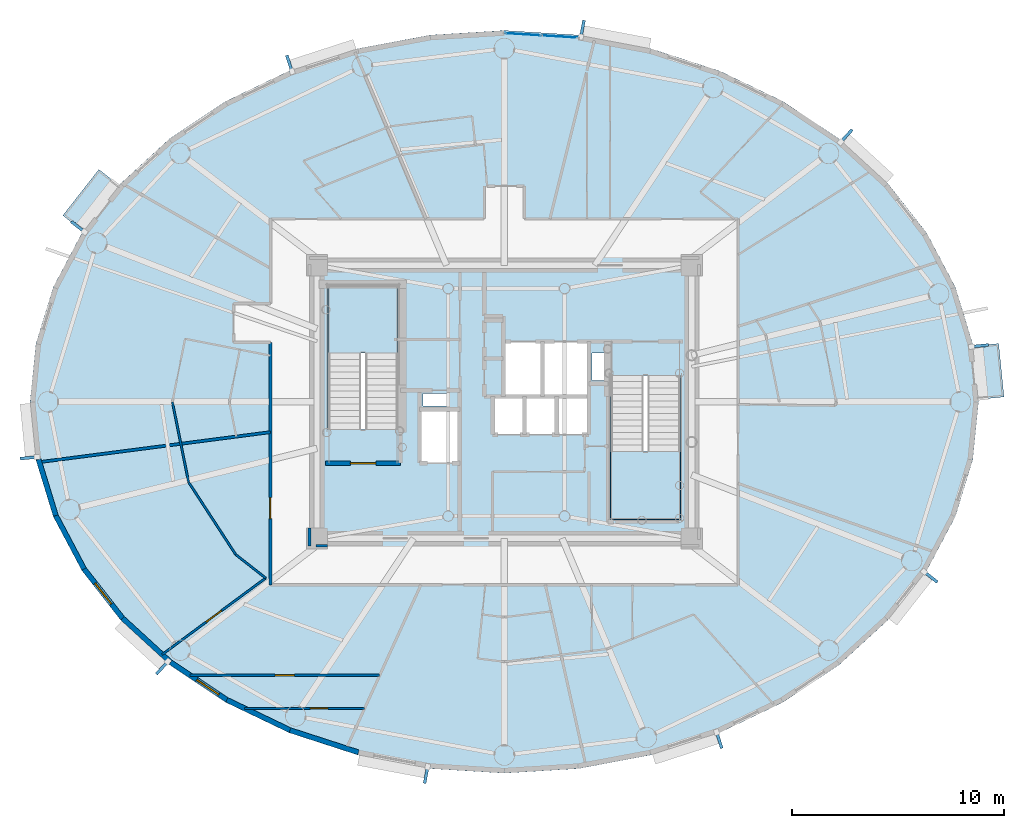
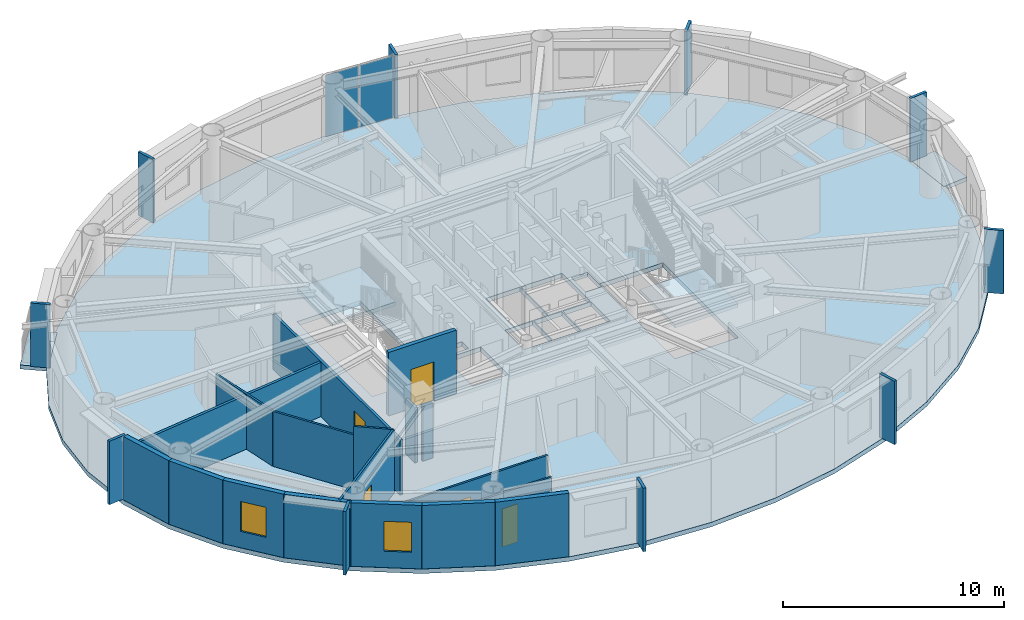
# One storey, part 5 of 17: 18 walls, 12 plates, 5 doors, 5 slabs, 2 windows, 7 openings, 3 elements without a shape of their own.
"""IFC4 building model written with IfcOpenShell, lengths in metres."""

from ifc_helpers import new_model, si_unit, direction, frame, frame_2d, origin, origin_2d, place, context, subcontext, project, spatial, polyline, rectangle, outline, extrude, source, transform, mapped, material, layer, layer_set, type_object, element, fill, aggregate, save


model = new_model("IFC4")

# Units and contexts
model_context = context("Model", 3, precision=1e-05, world=origin(), true_north=direction((0.0, 1.0)))
body_context = subcontext(model_context, "Body", "Model", "MODEL_VIEW")
ifc_project = project(units=[si_unit("LENGTHUNIT", "METRE"), si_unit("AREAUNIT", "SQUARE_METRE"), si_unit("VOLUMEUNIT", "CUBIC_METRE"), si_unit("PLANEANGLEUNIT", "RADIAN"), si_unit("MASSUNIT", "GRAM", prefix="KILO")], contexts=[model_context])

# Site, building, storey
site_placement = place(None, origin())
site = spatial("IfcSite", under=ifc_project, at=site_placement, CompositionType="ELEMENT")
building_placement = place(site_placement, origin())
building = spatial("IfcBuilding", under=site, at=building_placement, Name="Linh Dai School and Residence Tower", CompositionType="ELEMENT")
storey_placement = place(building_placement, frame((0.0, 0.0, 299.25)))
storey = spatial("IfcBuildingStorey", under=building, at=storey_placement, Name="L74", CompositionType="ELEMENT", Elevation=299.25)

# Slabs
ifc_material_1 = material(Name="Concrete B45 (C35/45)", Category="concrete")
ifc_layer_1 = layer(ifc_material_1, 0.219970703125)
ifc_layer_set_1 = layer_set([ifc_layer_1], Name="Concrete B45 (C35/45)")
slab_type_1 = type_object("IfcSlabType", Name="SLB-BALC-220", PredefinedType="FLOOR", material=ifc_layer_set_1)
slab_1_placement = place(storey_placement, frame((0.0, 0.0, -0.219970703125)))
element("IfcSlab", 1, at=slab_1_placement, inside=storey, type_object=slab_type_1, Name="L74 Sliding Balcony Slab 01", PredefinedType="FLOOR", context=body_context, shape_type="SweptSolid", body=[
    extrude(outline(polyline([(58.056396484375, 29.6240234375), (58.309814453125, 27.10400390625), (59.603271484375, 27.234130859375), (59.349853515625, 29.754150390625), (58.056396484375, 29.6240234375)])), origin(), (0.0, 0.0, 1.0), 0.219970703125),
])
slab_2_placement = place(storey_placement, frame((0.0, 0.0, -0.219970703125)))
element("IfcSlab", 2, at=slab_2_placement, inside=storey, type_object=slab_type_1, Name="L74 Sliding Balcony Slab 17", PredefinedType="FLOOR", context=body_context, shape_type="SweptSolid", body=[
    extrude(outline(polyline([(16.17236328125, 35.001220703125), (17.87255859375, 37.173828125), (16.848876953125, 37.974853515625), (15.148681640625, 35.802490234375), (16.17236328125, 35.001220703125)])), origin(), (0.0, 0.0, 1.0), 0.219970703125),
])
ifc_layer_2 = layer(ifc_material_1, 0.25)
ifc_layer_set_2 = layer_set([ifc_layer_2], Name="Concrete B45 (C35/45)")
slab_type_2 = type_object("IfcSlabType", Name="SLB-FLR250", PredefinedType="FLOOR", material=ifc_layer_set_2)
slab_3_placement = place(storey_placement, frame((0.0, 0.0, -0.25)))
element("IfcSlab", 3, at=slab_3_placement, inside=storey, type_object=slab_type_2, Name="L74 Composite Structural Floor Slab", PredefinedType="FLOOR", context=body_context, shape_type="SweptSolid", body=[
    extrude(outline(polyline([(58.39990234375, 27.0), (58.124267578125, 29.743896484375), (57.3037109375, 32.420166015625), (55.95849609375, 34.962890625), (54.1220703125, 37.309814453125), (51.839111328125, 39.402587890625), (49.16650390625, 41.190185546875), (46.16943359375, 42.628173828125), (42.921875, 43.681640625), (39.504150390625, 44.323974609375), (36.0, 44.5400390625), (32.495849609375, 44.323974609375), (29.078125, 43.681640625), (25.83056640625, 42.628173828125), (22.83349609375, 41.190185546875), (20.160888671875, 39.402587890625), (17.8779296875, 37.309814453125), (16.04150390625, 34.962890625), (14.6962890625, 32.420166015625), (13.875732421875, 29.743896484375), (13.60009765625, 27.0), (13.875732421875, 24.256103515625), (14.6962890625, 21.579833984375), (16.04150390625, 19.037109375), (17.8779296875, 16.690185546875), (20.160888671875, 14.597412109375), (22.83349609375, 12.809814453125), (25.83056640625, 11.371826171875), (29.078125, 10.318359375), (32.495849609375, 9.676025390625), (36.0, 9.4599609375), (39.504150390625, 9.676025390625), (42.921875, 10.318359375), (46.16943359375, 11.371826171875), (49.16650390625, 12.809814453125), (51.839111328125, 14.597412109375), (54.1220703125, 16.690185546875), (55.95849609375, 19.037109375), (57.3037109375, 21.579833984375), (58.124267578125, 24.256103515625), (58.39990234375, 27.0)]), holes=[polyline([(30.97998046875, 25.699951171875), (30.97998046875, 32.5), (27.679931640625, 32.5), (27.679931640625, 25.699951171875), (30.97998046875, 25.699951171875)]), polyline([(41.02001953125, 28.25), (41.02001953125, 21.449951171875), (44.320068359375, 21.449951171875), (44.320068359375, 28.25), (41.02001953125, 28.25)]), polyline([(35.97998046875, 27.280029296875), (37.77001953125, 27.280029296875), (37.77001953125, 29.820068359375), (35.97998046875, 29.820068359375), (35.97998046875, 27.280029296875)]), polyline([(32.030029296875, 24.1298828125), (33.8701171875, 24.1298828125), (33.8701171875, 26.6201171875), (32.030029296875, 26.6201171875), (32.030029296875, 24.1298828125)]), polyline([(37.830078125, 27.280029296875), (39.969970703125, 27.280029296875), (39.969970703125, 29.820068359375), (37.830078125, 29.820068359375), (37.830078125, 27.280029296875)]), polyline([(35.47998046875, 25.47998046875), (36.929931640625, 25.47998046875), (36.929931640625, 27.219970703125), (35.47998046875, 27.219970703125), (35.47998046875, 25.47998046875)]), polyline([(36.989990234375, 25.47998046875), (38.449951171875, 25.47998046875), (38.449951171875, 27.219970703125), (36.989990234375, 27.219970703125), (36.989990234375, 25.47998046875)]), polyline([(38.510009765625, 25.47998046875), (39.969970703125, 25.47998046875), (39.969970703125, 27.219970703125), (38.510009765625, 27.219970703125), (38.510009765625, 25.47998046875)]), polyline([(40.14990234375, 28.0), (40.14990234375, 29.300048828125), (41.0, 29.300048828125), (41.0, 28.280029296875), (40.989990234375, 28.280029296875), (40.989990234375, 28.0), (40.14990234375, 28.0)]), polyline([(32.14990234375, 26.800048828125), (33.35009765625, 26.800048828125), (33.35009765625, 27.39990234375), (32.14990234375, 27.39990234375), (32.14990234375, 26.800048828125)])]), origin(), (0.0, 0.0, 1.0), 0.25),
])

# Stair, slab
stair_type = type_object("IfcStairType", Name="ST-DOG-1550-R1442", PredefinedType="HALF_TURN_STAIR", material=ifc_material_1)
stair_1_placement = place(storey_placement, origin())
stair_1 = element("IfcStair", 4, at=stair_1_placement, inside=storey, type_object=stair_type, Name="L74 Core Smokeproof Exit Stair ST1", PredefinedType="HALF_TURN_STAIR")
ifc_layer_3 = layer(ifc_material_1, 0.199951171875)
ifc_layer_set_3 = layer_set([ifc_layer_3], Name="Concrete B45 (C35/45)")
slab_type_3 = type_object("IfcSlabType", Name="SLB-ST-LANDING-200", PredefinedType="LANDING", material=ifc_layer_set_3)
slab_4_placement = place(storey_placement, frame((0.0, 0.0, 1.675048828125)))
slab_4 = element("IfcSlab", 5, at=slab_4_placement, type_object=slab_type_3, Name="ST1 landing 1", PredefinedType="LANDING", context=body_context, shape_type="SweptSolid", body=[
    extrude(outline(polyline([(30.97998046875, 29.300048828125), (30.97998046875, 32.5), (27.679931640625, 32.5), (27.679931640625, 29.300048828125), (30.97998046875, 29.300048828125)])), origin(), (0.0, 0.0, 1.0), 0.199951171875),
])
aggregate(stair_1, [slab_4])

stair_2_placement = place(storey_placement, origin())
stair_2 = element("IfcStair", 6, at=stair_2_placement, inside=storey, type_object=stair_type, Name="L74 Core Smokeproof Exit Stair ST2", PredefinedType="HALF_TURN_STAIR")
slab_5_placement = place(storey_placement, frame((0.0, 0.0, 1.675048828125)))
slab_5 = element("IfcSlab", 7, at=slab_5_placement, type_object=slab_type_3, Name="ST2 landing 1", PredefinedType="LANDING", context=body_context, shape_type="SweptSolid", body=[
    extrude(outline(polyline([(41.02001953125, 24.64990234375), (41.02001953125, 21.449951171875), (44.320068359375, 21.449951171875), (44.320068359375, 24.64990234375), (41.02001953125, 24.64990234375)])), origin(), (0.0, 0.0, 1.0), 0.199951171875),
])
aggregate(stair_2, [slab_5])

# Plates
ifc_material_2 = material(Name="Precast Concrete B45 (C35/45)", Category="concrete")
ifc_layer_4 = layer(ifc_material_2, 0.139892578125)
ifc_layer_set_4 = layer_set([ifc_layer_4], Name="Precast Concrete B45 (C35/45)")
plate_type_1 = type_object("IfcPlateType", Name="FIN-TC-900x140", PredefinedType="USERDEFINED", material=ifc_layer_set_4)
shared_shape_1 = source(origin(), body_context, "Body", "SweptSolid", [
    extrude(rectangle(XDim=0.89990234375, YDim=0.139892578125, at=origin_2d()), origin(), (0.0, 0.0, 1.0), 3.5),
])
for number, where, z_axis, x_axis, name in (
    (8, (58.421630859375, 29.640625, 0.0), (0.0, 0.0, 1.0), (0.994986629598, 0.100008034283, 0.0), "L74 Precast Terracotta Radial Fin 01"),
    (9, (52.127685546875, 39.525390625, 0.0), (0.0, 0.0, 1.0), (0.67577730889, 0.737105846394, 0.0), "L74 Precast Terracotta Radial Fin 05"),
    (10, (39.682373046875, 44.580810546875, 0.0), (0.0, 0.0, 1.0), (0.184751197452, 0.982785325002, 0.0), "L74 Precast Terracotta Radial Fin 09"),
    (11, (25.864501953125, 42.939208984375, 0.0), (0.0, 0.0, 1.0), (-0.308518805176, 0.951218243545, 0.0), "L74 Precast Terracotta Radial Fin 13"),
    (12, (15.897216796875, 35.241943359375, 0.0), (0.0, 0.0, 1.0), (-0.78750300393, 0.616310813471, 0.0), "L74 Precast Terracotta Radial Fin 17"),
    (13, (13.578369140625, 24.359375, 0.0), (0.0, 0.0, 1.0), (-0.994986629598, -0.100008034283, 0.0), "L74 Precast Terracotta Radial Fin 21"),
    (14, (19.872314453125, 14.474609375, 0.0), (0.0, 0.0, 1.0), (-0.675779074535, -0.737104227651, 0.0), "L74 Precast Terracotta Radial Fin 25"),
    (15, (32.317626953125, 9.419189453125, 0.0), (0.0, 0.0, 1.0), (-0.184751197452, -0.982785325002, 0.0), "L74 Precast Terracotta Radial Fin 29"),
    (16, (46.135498046875, 11.060791015625, 0.0), (0.0, 0.0, 1.0), (0.308518805176, -0.951218243545, 0.0), "L74 Precast Terracotta Radial Fin 33"),
    (17, (56.102783203125, 18.758056640625, 0.0), (0.0, 0.0, 1.0), (0.78750300393, -0.616310813471, 0.0), "L74 Precast Terracotta Radial Fin 37"),
):
    element("IfcPlate", number, at=place(storey_placement, frame(where, z_axis=z_axis, x_axis=x_axis)), inside=storey, type_object=plate_type_1, Name=name, ObjectType="RADIAL FIN", PredefinedType="USERDEFINED", context=body_context, shape_type="MappedRepresentation", body=[
        mapped(shared_shape_1, transform((0.0, 0.0, 0.0), x_axis=(1.0, 0.0, 0.0), y_axis=(0.0, 1.0, 0.0), z_axis=(0.0, 0.0, 1.0), scale=1.0)),
    ])

# Curtain wall, plates
ifc_material_3 = material(Name="Aluminium Anodised Curtain Wall", Category="aluminium")
ifc_layer_5 = layer(ifc_material_3, 0.14990234375)
ifc_layer_set_5 = layer_set([ifc_layer_5], Name="Aluminium Anodised Curtain Wall")
curtain_wall_type = type_object("IfcCurtainWallType", Name="CW-SYS-4", PredefinedType="USERDEFINED", material=ifc_layer_set_5)
curtain_wall_placement = place(storey_placement, origin())
curtain_wall = element("IfcCurtainWall", 18, at=curtain_wall_placement, inside=storey, type_object=curtain_wall_type, Name="L74 CW4 Curtain Wall 10", ObjectType="RIBBON CURTAIN WALL", PredefinedType="USERDEFINED")
ifc_material_4 = material(Name="Double Low-E Insulated Glazing", Category="glass")
ifc_layer_6 = layer(ifc_material_4, 0.02587890625)
ifc_layer_set_6 = layer_set([ifc_layer_6], Name="Double Low-E Insulated Glazing")
plate_type_2 = type_object("IfcPlateType", Name="CW-SYS-4-PAN", PredefinedType="CURTAIN_PANEL", material=ifc_layer_set_6)
shared_shape_2 = source(origin(), body_context, "Body", "SweptSolid", [
    extrude(rectangle(XDim=1.669677734375, YDim=0.02587890625, at=origin_2d()), origin(), (0.0, 0.0, 1.0), 3.39599609375),
])
plate_1_placement = place(storey_placement, frame((36.88525390625, 44.3603515625, 0.052001953125), z_axis=(0.0, 0.0, 1.0), x_axis=(0.998106469364, -0.061509965157, 0.0)))
plate_1 = element("IfcPlate", 19, at=plate_1_placement, type_object=plate_type_2, Name="CW4 panel 1.1", PredefinedType="CURTAIN_PANEL", context=body_context, shape_type="MappedRepresentation", body=[
    mapped(shared_shape_2, transform((0.0, 0.0, 0.0), x_axis=(1.0, 0.0, 0.0), y_axis=(0.0, 1.0, 0.0), z_axis=(0.0, 0.0, 1.0), scale=1.0)),
])
plate_2_placement = place(storey_placement, frame((38.603515625, 44.254638671875, 0.052001953125), z_axis=(0.0, 0.0, 1.0), x_axis=(0.998106469364, -0.061509965157, 0.0)))
plate_2 = element("IfcPlate", 20, at=plate_2_placement, type_object=plate_type_2, Name="CW4 panel 2.1", PredefinedType="CURTAIN_PANEL", context=body_context, shape_type="MappedRepresentation", body=[
    mapped(shared_shape_2, transform((0.0, 0.0, 0.0), x_axis=(1.0, 0.0, 0.0), y_axis=(0.0, 1.0, 0.0), z_axis=(0.0, 0.0, 1.0), scale=1.0)),
])
aggregate(curtain_wall, [plate_1, plate_2])

# Walls
ifc_layer_7 = layer(ifc_material_2, 0.239990234375)
ifc_layer_set_7 = layer_set([ifc_layer_7], Name="Precast Concrete B45 (C35/45)")
wall_type_1 = type_object("IfcWallType", Name="EW-TC-240", PredefinedType="SOLIDWALL", material=ifc_layer_set_7)
wall_1_placement = place(storey_placement, frame((14.811767578125, 21.627685546875, 0.0), z_axis=(0.0, 0.0, 1.0), x_axis=(-0.2931213403, 0.956075248012, 0.0)))
element("IfcWall", 21, at=wall_1_placement, inside=storey, type_object=wall_type_1, Name="L74 Terracotta Exterior Wall 22", PredefinedType="SOLIDWALL", context=body_context, shape_type="SweptSolid", body=[
    extrude(rectangle(XDim=2.775146484375, YDim=0.239990234375, at=frame_2d((1.3876953125, 0.0))), origin(), (0.0, 0.0, 1.0), 3.5),
])
wall_2_placement = place(storey_placement, frame((16.146240234375, 19.105224609375, 0.0), z_axis=(0.0, 0.0, 1.0), x_axis=(-0.467628269026, 0.883925224218, 0.0)))
element("IfcWall", 22, at=wall_2_placement, inside=storey, type_object=wall_type_1, Name="L74 Terracotta Exterior Wall 23", PredefinedType="SOLIDWALL", context=body_context, shape_type="SweptSolid", body=[
    extrude(rectangle(XDim=2.853759765625, YDim=0.239990234375, at=frame_2d((1.4267578125, 0.0))), origin(), (0.0, 0.0, 1.0), 3.5),
])

# Wall, opening, window
wall_3_placement = place(storey_placement, frame((17.9697265625, 16.775390625, 0.0), z_axis=(0.0, 0.0, 1.0), x_axis=(-0.616337186556, 0.787482363275, 0.0)))
wall_3 = element("IfcWall", 23, at=wall_3_placement, inside=storey, type_object=wall_type_1, Name="L74 Terracotta Exterior Wall 24", PredefinedType="SOLIDWALL", context=body_context, shape_type="SweptSolid", body=[
    extrude(rectangle(XDim=2.95849609375, YDim=0.239990234375, at=frame_2d((1.479248046875, 0.0))), origin(), (0.0, 0.0, 1.0), 3.5),
])
opening_1_placement = place(wall_3_placement, frame((0.85400390625, 0.0, 0.89990234375)))
opening_1 = element("IfcOpeningElement", 24, at=opening_1_placement, cuts=wall_3, Name="Opening W3", PredefinedType="OPENING", context=body_context, shape_type="SweptSolid", body=[
    extrude(rectangle(XDim=1.25, YDim=1.64990234375, at=origin_2d()), frame((0.625, 0.1298828125, 0.824951171875), z_axis=(0.0, -1.0, 0.0), x_axis=(1.0, 0.0, 0.0)), (0.0, 0.0, 1.0), 0.260009765625),
])
window_type = type_object("IfcWindowType", Name="WN-RES-1250x1650", PartitioningType="SINGLE_PANEL", PredefinedType="WINDOW", material=ifc_material_4)
shared_shape_3 = source(origin(), body_context, "Body", "SweptSolid", [
    extrude(rectangle(XDim=1.25, YDim=1.64990234375, at=origin_2d()), frame((0.625, 0.030029296875, 0.824951171875), z_axis=(0.0, -1.0, 0.0), x_axis=(1.0, 0.0, 0.0)), (0.0, 0.0, 1.0), 0.06005859375),
])
window_1_placement = place(opening_1_placement, origin())
window_1 = element("IfcWindow", 25, at=window_1_placement, inside=storey, type_object=window_type, Name="L74 Exterior Window 24.1", OverallHeight=1.64990234375, OverallWidth=1.25, PartitioningType="SINGLE_PANEL", PredefinedType="WINDOW", context=body_context, shape_type="MappedRepresentation", body=[
    mapped(shared_shape_3, transform((0.0, 0.0, 0.0), x_axis=(1.0, 0.0, 0.0), y_axis=(0.0, 1.0, 0.0), z_axis=(0.0, 0.0, 1.0), scale=1.0)),
])
fill(opening_1, window_1)

# Wall
wall_4_placement = place(storey_placement, frame((20.23779296875, 14.69580078125, 0.0), z_axis=(0.0, 0.0, 1.0), x_axis=(-0.737068506972, 0.675818034703, 0.0)))
element("IfcWall", 26, at=wall_4_placement, inside=storey, type_object=wall_type_1, Name="L74 Terracotta Exterior Wall 25", PredefinedType="SOLIDWALL", context=body_context, shape_type="SweptSolid", body=[
    extrude(rectangle(XDim=3.0771484375, YDim=0.239990234375, at=frame_2d((1.53857421875, 0.0))), origin(), (0.0, 0.0, 1.0), 3.5),
])

# Wall, opening, window
wall_5_placement = place(storey_placement, frame((22.8955078125, 12.91845703125, 0.0), z_axis=(0.0, 0.0, 1.0), x_axis=(-0.831250592635, 0.55589787933, 0.0)))
wall_5 = element("IfcWall", 27, at=wall_5_placement, inside=storey, type_object=wall_type_1, Name="L74 Terracotta Exterior Wall 26", PredefinedType="SOLIDWALL", context=body_context, shape_type="SweptSolid", body=[
    extrude(rectangle(XDim=3.197265625, YDim=0.239990234375, at=frame_2d((1.5986328125, 0.0))), origin(), (0.0, 0.0, 1.0), 3.5),
])
opening_2_placement = place(wall_5_placement, frame((0.45751953125, 0.0, 0.89990234375)))
opening_2 = element("IfcOpeningElement", 28, at=opening_2_placement, cuts=wall_5, Name="Opening W3", PredefinedType="OPENING", context=body_context, shape_type="SweptSolid", body=[
    extrude(rectangle(XDim=1.25, YDim=1.64990234375, at=origin_2d()), frame((0.625, 0.1298828125, 0.824951171875), z_axis=(0.0, -1.0, 0.0), x_axis=(1.0, 0.0, 0.0)), (0.0, 0.0, 1.0), 0.260009765625),
])
window_2_placement = place(opening_2_placement, origin())
window_2 = element("IfcWindow", 29, at=window_2_placement, inside=storey, type_object=window_type, Name="L74 Dwelling Window U7404-LIV", OverallHeight=1.64990234375, OverallWidth=1.25, PartitioningType="SINGLE_PANEL", PredefinedType="WINDOW", context=body_context, shape_type="MappedRepresentation", body=[
    mapped(shared_shape_3, transform((0.0, 0.0, 0.0), x_axis=(1.0, 0.0, 0.0), y_axis=(0.0, 1.0, 0.0), z_axis=(0.0, 0.0, 1.0), scale=1.0)),
])
fill(opening_2, window_2)

# Walls
wall_6_placement = place(storey_placement, frame((25.876953125, 11.48779296875, 0.0), z_axis=(0.0, 0.0, 1.0), x_axis=(-0.901573741254, 0.43262546051, 0.0)))
element("IfcWall", 30, at=wall_6_placement, inside=storey, type_object=wall_type_1, Name="L74 Terracotta Exterior Wall 27", PredefinedType="SOLIDWALL", context=body_context, shape_type="SweptSolid", body=[
    extrude(rectangle(XDim=3.306884765625, YDim=0.239990234375, at=frame_2d((1.6533203125, 0.0))), origin(), (0.0, 0.0, 1.0), 3.5),
])
wall_7_placement = place(storey_placement, frame((29.10888671875, 10.439697265625, 0.0), z_axis=(0.0, 0.0, 1.0), x_axis=(-0.95123136723, 0.308478339592, 0.0)))
element("IfcWall", 31, at=wall_7_placement, inside=storey, type_object=wall_type_1, Name="L74 Terracotta Exterior Wall 28", PredefinedType="SOLIDWALL", context=body_context, shape_type="SweptSolid", body=[
    extrude(rectangle(XDim=3.397705078125, YDim=0.239990234375, at=frame_2d((1.69873046875, 0.0))), origin(), (0.0, 0.0, 1.0), 3.5),
])
ifc_material_5 = material(Name="Autoclaved Aerated Concrete Blockwork", Category="masonry")
ifc_layer_8 = layer(ifc_material_5, 0.135009765625)
ifc_layer_set_8 = layer_set([ifc_layer_8], Name="Autoclaved Aerated Concrete Blockwork")
wall_type_2 = type_object("IfcWallType", Name="IW-CORR-135-EI90", PredefinedType="PARTITIONING", material=ifc_layer_set_8)
wall_8_placement = place(storey_placement, frame((14.032958984375, 24.15087890625, 0.0), z_axis=(0.0, 0.0, 1.0), x_axis=(0.99169266035, 0.128629963101, 0.0)))
element("IfcWall", 32, at=wall_8_placement, inside=storey, type_object=wall_type_2, Name="L74 Interior Partition Wall 001", PredefinedType="PARTITIONING", context=body_context, shape_type="SweptSolid", body=[
    extrude(rectangle(XDim=11.008544921875, YDim=0.135009765625, at=frame_2d((5.50439453125, 0.0))), origin(), (0.0, 0.0, 1.0), 2.985107421875),
])

# Wall, opening, door
wall_9_placement = place(storey_placement, frame((24.949951171875, 18.35009765625, 0.0), z_axis=(0.0, 0.0, 1.0), x_axis=(0.0, 1.0, 0.0)))
wall_9 = element("IfcWall", 33, at=wall_9_placement, inside=storey, type_object=wall_type_2, Name="L74 Interior Partition Wall 016", PredefinedType="PARTITIONING", context=body_context, shape_type="SweptSolid", body=[
    extrude(rectangle(XDim=11.449951171875, YDim=0.135009765625, at=frame_2d((5.72509765625, 0.0))), origin(), (0.0, 0.0, 1.0), 3.034912109375),
])
opening_3_placement = place(wall_9_placement, frame((3.12841796875, 0.0, 0.0)))
opening_3 = element("IfcOpeningElement", 34, at=opening_3_placement, cuts=wall_9, Name="Opening D03", PredefinedType="OPENING", context=body_context, shape_type="SweptSolid", body=[
    extrude(rectangle(XDim=1.0, YDim=2.14990234375, at=origin_2d()), frame((0.5, 0.07763671875, 1.074951171875), z_axis=(0.0, -1.0, 0.0), x_axis=(1.0, 0.0, 0.0)), (0.0, 0.0, 1.0), 0.155029296875),
])
ifc_material_6 = material(Name="Fire-Rated Solid Timber Entrance Door", Category="wood")
door_type_1 = type_object("IfcDoorType", Name="DR-FLAT-1000x2150-FD60S", OperationType="NOTDEFINED", PredefinedType="DOOR", material=ifc_material_6)
shared_shape_4 = source(origin(), body_context, "Body", "SweptSolid", [
    extrude(rectangle(XDim=1.0, YDim=2.14990234375, at=origin_2d()), frame((0.5, 0.02490234375, 1.074951171875), z_axis=(0.0, -1.0, 0.0), x_axis=(1.0, 0.0, 0.0)), (0.0, 0.0, 1.0), 0.050048828125),
])
door_1_placement = place(opening_3_placement, origin())
door_1 = element("IfcDoor", 35, at=door_1_placement, inside=storey, type_object=door_type_1, Name="L74 U7404 Apartment Entrance Door", OperationType="SINGLE_SWING_LEFT", OverallHeight=2.14990234375, OverallWidth=1.0, PredefinedType="DOOR", context=body_context, shape_type="MappedRepresentation", body=[
    mapped(shared_shape_4, transform((0.0, 0.0, 0.0), x_axis=(1.0, 0.0, 0.0), y_axis=(0.0, 1.0, 0.0), z_axis=(0.0, 0.0, 1.0), scale=1.0)),
])
fill(opening_3, door_1)

# Walls
wall_10_placement = place(storey_placement, frame((26.800048828125, 21.0400390625, 0.0), z_axis=(0.0, 0.0, 1.0), x_axis=(0.0, -1.0, 0.0)))
element("IfcWall", 36, at=wall_10_placement, inside=storey, type_object=wall_type_2, Name="L74 Interior Partition Wall 095", PredefinedType="PARTITIONING", context=body_context, shape_type="SweptSolid", body=[
    extrude(rectangle(XDim=0.840087890625, YDim=0.135009765625, at=frame_2d((0.419921875, 0.0))), origin(), (0.0, 0.0, 1.0), 3.034912109375),
])
wall_11_placement = place(storey_placement, frame((27.107421875, 20.199951171875, 0.0), z_axis=(0.0, 0.0, 1.0), x_axis=(1.0, 0.0, 0.0)))
element("IfcWall", 37, at=wall_11_placement, inside=storey, type_object=wall_type_2, Name="L74 Interior Partition Wall 096", PredefinedType="PARTITIONING", context=body_context, shape_type="SweptSolid", body=[
    extrude(rectangle(XDim=0.532470703125, YDim=0.135009765625, at=frame_2d((0.26611328125, 0.0))), origin(), (0.0, 0.0, 1.0), 3.034912109375),
])

# Wall, opening, door
ifc_layer_9 = layer(ifc_material_1, 0.199951171875)
ifc_layer_set_9 = layer_set([ifc_layer_9], Name="Concrete B45 (C35/45)")
wall_type_3 = type_object("IfcWallType", Name="IW-SHAFT-200-EI120", PredefinedType="PARTITIONING", material=ifc_layer_set_9)
wall_12_placement = place(storey_placement, frame((27.56005859375, 24.10009765625, 0.0), z_axis=(0.0, 0.0, 1.0), x_axis=(1.0, 0.0, 0.0)))
wall_12 = element("IfcWall", 38, at=wall_12_placement, inside=storey, type_object=wall_type_3, Name="L74 Interior Partition Wall 024", PredefinedType="PARTITIONING", context=body_context, shape_type="SweptSolid", body=[
    extrude(rectangle(XDim=3.5400390625, YDim=0.199951171875, at=frame_2d((1.77001953125, 0.0))), origin(), (0.0, 0.0, 1.0), 3.5),
])
opening_4_placement = place(wall_12_placement, frame((1.169921875, 0.0, 0.0)))
opening_4 = element("IfcOpeningElement", 39, at=opening_4_placement, cuts=wall_12, Name="Opening D01", PredefinedType="OPENING", context=body_context, shape_type="SweptSolid", body=[
    extrude(rectangle(XDim=1.199951171875, YDim=2.14990234375, at=origin_2d()), frame((0.60009765625, 0.10986328125, 1.074951171875), z_axis=(0.0, -1.0, 0.0), x_axis=(1.0, 0.0, 0.0)), (0.0, 0.0, 1.0), 0.219970703125),
])
ifc_material_7 = material(Name="Fire-Rated Steel Door Leaf", Category="steel")
door_type_2 = type_object("IfcDoorType", Name="DR-STAIR-1200x2150-FD90S", OperationType="NOTDEFINED", PredefinedType="DOOR", material=ifc_material_7)
shared_shape_5 = source(origin(), body_context, "Body", "SweptSolid", [
    extrude(rectangle(XDim=1.199951171875, YDim=2.14990234375, at=origin_2d()), frame((0.60009765625, 0.02490234375, 1.074951171875), z_axis=(0.0, -1.0, 0.0), x_axis=(1.0, 0.0, 0.0)), (0.0, 0.0, 1.0), 0.050048828125),
])
door_2_placement = place(opening_4_placement, origin())
door_2 = element("IfcDoor", 40, at=door_2_placement, inside=storey, type_object=door_type_2, Name="L74 Core Smokeproof Exit Stair ST1 Door", OperationType="SINGLE_SWING_RIGHT", OverallHeight=2.14990234375, OverallWidth=1.199951171875, PredefinedType="DOOR", context=body_context, shape_type="MappedRepresentation", body=[
    mapped(shared_shape_5, transform((0.0, 0.0, 0.0), x_axis=(1.0, 0.0, 0.0), y_axis=(0.0, 1.0, 0.0), z_axis=(0.0, 0.0, 1.0), scale=1.0)),
])
fill(opening_4, door_2)

ifc_material_8 = material(Name="Gypsum Plasterboard Acoustic Stud Partition", Category="masonry")
ifc_layer_10 = layer(ifc_material_8, 0.10009765625)
ifc_layer_set_10 = layer_set([ifc_layer_10], Name="Gypsum Plasterboard Acoustic Stud Partition")
wall_type_4 = type_object("IfcWallType", Name="IW-UNIT-100", PredefinedType="PARTITIONING", material=ifc_layer_set_10)
wall_13_placement = place(storey_placement, frame((19.83349609375, 15.059814453125, 0.0), z_axis=(0.0, 0.0, 1.0), x_axis=(0.804387847123, 0.594104529019, 0.0)))
wall_13 = element("IfcWall", 41, at=wall_13_placement, inside=storey, type_object=wall_type_4, Name="L74 Interior Partition Wall 003", PredefinedType="PARTITIONING", context=body_context, shape_type="SweptSolid", body=[
    extrude(rectangle(XDim=6.0859375, YDim=0.10009765625, at=frame_2d((3.04296875, 0.0))), origin(), (0.0, 0.0, 1.0), 3.5),
])
opening_5_placement = place(wall_13_placement, frame((2.593017578125, 0.0, 0.0)))
opening_5 = element("IfcOpeningElement", 42, at=opening_5_placement, cuts=wall_13, Name="Opening D05", PredefinedType="OPENING", context=body_context, shape_type="SweptSolid", body=[
    extrude(rectangle(XDim=0.89990234375, YDim=2.10009765625, at=origin_2d()), frame((0.449951171875, 0.06005859375, 1.050048828125), z_axis=(0.0, -1.0, 0.0), x_axis=(1.0, 0.0, 0.0)), (0.0, 0.0, 1.0), 0.1201171875),
])
ifc_material_9 = material(Name="Engineered Timber Internal Door", Category="wood")
door_type_3 = type_object("IfcDoorType", Name="DR-INT-900x2100", OperationType="NOTDEFINED", PredefinedType="DOOR", material=ifc_material_9)
shared_shape_6 = source(origin(), body_context, "Body", "SweptSolid", [
    extrude(rectangle(XDim=0.89990234375, YDim=2.10009765625, at=origin_2d()), frame((0.449951171875, 0.02490234375, 1.050048828125), z_axis=(0.0, -1.0, 0.0), x_axis=(1.0, 0.0, 0.0)), (0.0, 0.0, 1.0), 0.050048828125),
])
door_3_placement = place(opening_5_placement, origin())
door_3 = element("IfcDoor", 43, at=door_3_placement, inside=storey, type_object=door_type_3, Name="L74 Apartment U7404 Principal Bedroom 1 Door", OperationType="SINGLE_SWING_RIGHT", OverallHeight=2.10009765625, OverallWidth=0.89990234375, PredefinedType="DOOR", context=body_context, shape_type="MappedRepresentation", body=[
    mapped(shared_shape_6, transform((0.0, 0.0, 0.0), x_axis=(1.0, 0.0, 0.0), y_axis=(0.0, 1.0, 0.0), z_axis=(0.0, 0.0, 1.0), scale=1.0)),
])
fill(opening_5, door_3)

# Walls
wall_14_placement = place(storey_placement, frame((20.320068359375, 27.0, 0.0), z_axis=(0.0, 0.0, 1.0), x_axis=(0.198226068862, -0.980156327135, 0.0)))
element("IfcWall", 44, at=wall_14_placement, inside=storey, type_object=wall_type_4, Name="L74 Interior Partition Wall 005", PredefinedType="PARTITIONING", context=body_context, shape_type="SweptSolid", body=[
    extrude(rectangle(XDim=3.87109375, YDim=0.10009765625, at=frame_2d((1.935546875, 0.0))), origin(), (0.0, 0.0, 1.0), 3.034912109375),
])
wall_15_placement = place(storey_placement, frame((21.08740234375, 23.205810546875, 0.0), z_axis=(0.0, 0.0, 1.0), x_axis=(0.545435886628, -0.838152547916, 0.0)))
element("IfcWall", 45, at=wall_15_placement, inside=storey, type_object=wall_type_4, Name="L74 Interior Partition Wall 007", PredefinedType="PARTITIONING", context=body_context, shape_type="SweptSolid", body=[
    extrude(rectangle(XDim=4.08349609375, YDim=0.10009765625, at=frame_2d((2.041748046875, 0.0))), origin(), (0.0, 0.0, 1.0), 3.034912109375),
])

# Wall, opening, door
wall_16_placement = place(storey_placement, frame((21.14404296875, 14.083740234375, 0.0), z_axis=(0.0, 0.0, 1.0), x_axis=(1.0, 0.0, 0.0)))
wall_16 = element("IfcWall", 46, at=wall_16_placement, inside=storey, type_object=wall_type_4, Name="L74 Interior Partition Wall 008", PredefinedType="PARTITIONING", context=body_context, shape_type="SweptSolid", body=[
    extrude(rectangle(XDim=8.971435546875, YDim=0.10009765625, at=frame_2d((4.48583984375, 0.0))), origin(), (0.0, 0.0, 1.0), 2.985107421875),
])
opening_6_placement = place(wall_16_placement, frame((4.035888671875, 0.0, 0.0)))
opening_6 = element("IfcOpeningElement", 47, at=opening_6_placement, cuts=wall_16, Name="Opening D05", PredefinedType="OPENING", context=body_context, shape_type="SweptSolid", body=[
    extrude(rectangle(XDim=0.89990234375, YDim=2.10009765625, at=origin_2d()), frame((0.449951171875, 0.06005859375, 1.050048828125), z_axis=(0.0, -1.0, 0.0), x_axis=(1.0, 0.0, 0.0)), (0.0, 0.0, 1.0), 0.1201171875),
])
door_4_placement = place(opening_6_placement, origin())
door_4 = element("IfcDoor", 48, at=door_4_placement, inside=storey, type_object=door_type_3, Name="L74 Apartment U7404 Kitchen Door", OperationType="SINGLE_SWING_LEFT", OverallHeight=2.10009765625, OverallWidth=0.89990234375, PredefinedType="DOOR", context=body_context, shape_type="MappedRepresentation", body=[
    mapped(shared_shape_6, transform((0.0, 0.0, 0.0), x_axis=(1.0, 0.0, 0.0), y_axis=(0.0, 1.0, 0.0), z_axis=(0.0, 0.0, 1.0), scale=1.0)),
])
fill(opening_6, door_4)

# Wall
wall_17_placement = place(storey_placement, frame((23.314697265625, 19.783203125, 0.0), z_axis=(0.0, 0.0, 1.0), x_axis=(0.787284128546, -0.616590383431, 0.0)))
element("IfcWall", 49, at=wall_17_placement, inside=storey, type_object=wall_type_4, Name="L74 Interior Partition Wall 014", PredefinedType="PARTITIONING", context=body_context, shape_type="SweptSolid", body=[
    extrude(rectangle(XDim=1.79638671875, YDim=0.10009765625, at=frame_2d((0.898193359375, 0.0))), origin(), (0.0, 0.0, 1.0), 3.5),
])

# Wall, opening, door
wall_18_placement = place(storey_placement, frame((23.71875, 12.517822265625, 0.0), z_axis=(0.0, 0.0, 1.0), x_axis=(1.0, 0.0, 0.0)))
wall_18 = element("IfcWall", 50, at=wall_18_placement, inside=storey, type_object=wall_type_4, Name="L74 Interior Partition Wall 015", PredefinedType="PARTITIONING", context=body_context, shape_type="SweptSolid", body=[
    extrude(rectangle(XDim=5.683349609375, YDim=0.10009765625, at=frame_2d((2.841796875, 0.0))), origin(), (0.0, 0.0, 1.0), 2.985107421875),
])
opening_7_placement = place(wall_18_placement, frame((3.125244140625, 0.0, 0.0)))
opening_7 = element("IfcOpeningElement", 51, at=opening_7_placement, cuts=wall_18, Name="Opening D06", PredefinedType="OPENING", context=body_context, shape_type="SweptSolid", body=[
    extrude(rectangle(XDim=0.820068359375, YDim=2.10009765625, at=origin_2d()), frame((0.41015625, 0.06005859375, 1.050048828125), z_axis=(0.0, -1.0, 0.0), x_axis=(1.0, 0.0, 0.0)), (0.0, 0.0, 1.0), 0.1201171875),
])
ifc_material_10 = material(Name="Moisture-Resistant Timber Bathroom Door", Category="wood")
door_type_4 = type_object("IfcDoorType", Name="DR-WET-820x2100", OperationType="NOTDEFINED", PredefinedType="DOOR", material=ifc_material_10)
shared_shape_7 = source(origin(), body_context, "Body", "SweptSolid", [
    extrude(rectangle(XDim=0.820068359375, YDim=2.10009765625, at=origin_2d()), frame((0.41015625, 0.02490234375, 1.050048828125), z_axis=(0.0, -1.0, 0.0), x_axis=(1.0, 0.0, 0.0)), (0.0, 0.0, 1.0), 0.050048828125),
])
door_5_placement = place(opening_7_placement, origin())
door_5 = element("IfcDoor", 52, at=door_5_placement, inside=storey, type_object=door_type_4, Name="L74 Apartment U7404 Bathroom 1 Door", OperationType="SINGLE_SWING_RIGHT", OverallHeight=2.10009765625, OverallWidth=0.820068359375, PredefinedType="DOOR", context=body_context, shape_type="MappedRepresentation", body=[
    mapped(shared_shape_7, transform((0.0, 0.0, 0.0), x_axis=(1.0, 0.0, 0.0), y_axis=(0.0, 1.0, 0.0), z_axis=(0.0, 0.0, 1.0), scale=1.0)),
])
fill(opening_7, door_5)

save(model, "model.ifc")
